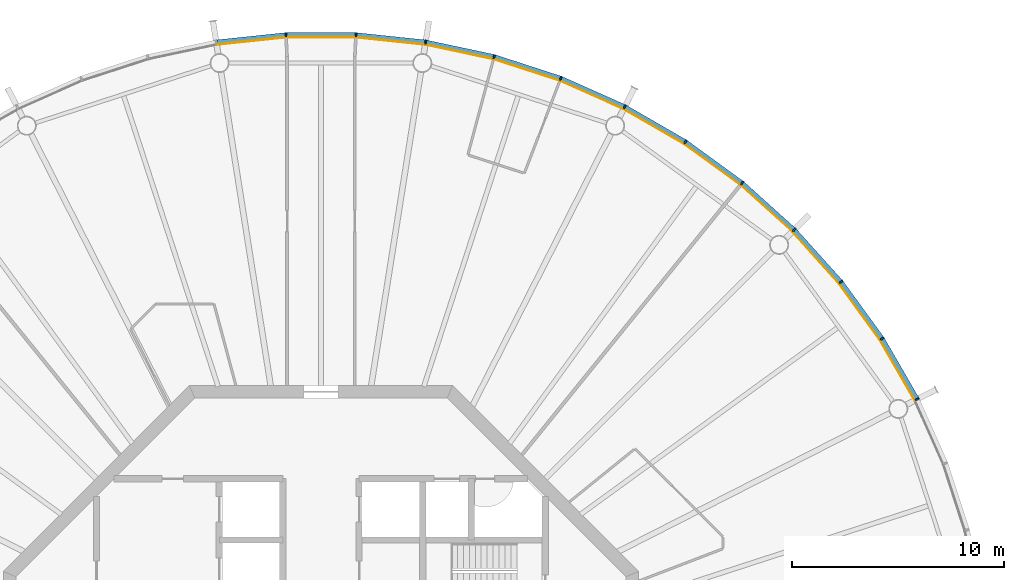
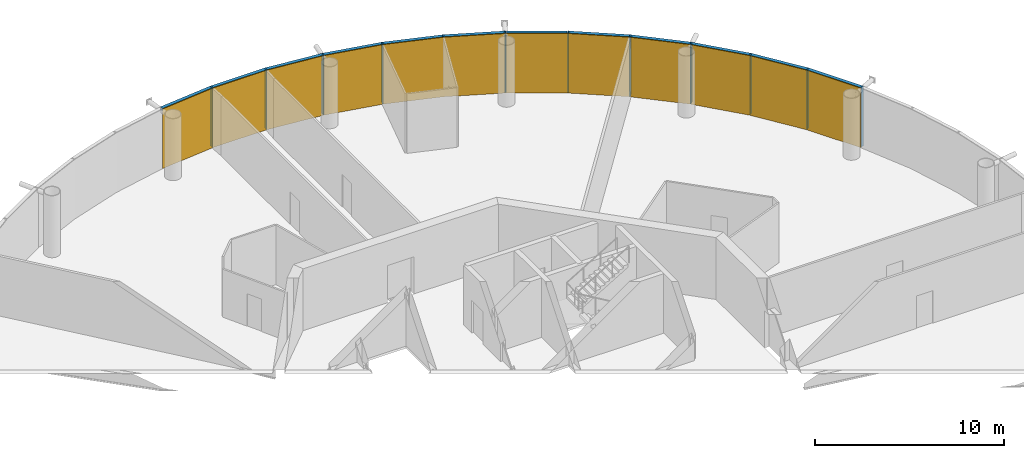
# One storey, part 17 of 18: 24 members, 4 curtain walls.
"""IFC4 building model written with IfcOpenShell, lengths in metres."""

from ifc_helpers import new_model, si_unit, direction, frame, origin, origin_2d, place, context, subcontext, project, spatial, polyline, rectangle, outline, extrude, material, layer, layer_set, material_profile, profile_set, type_object, element, aggregate, save


model = new_model("IFC4")

# Units and contexts
model_context = context("Model", 3, precision=1e-05, world=origin(), true_north=direction((0.0, 1.0)))
body_context = subcontext(model_context, "Body", "Model", "MODEL_VIEW")
ifc_project = project(units=[si_unit("LENGTHUNIT", "METRE"), si_unit("AREAUNIT", "SQUARE_METRE"), si_unit("VOLUMEUNIT", "CUBIC_METRE"), si_unit("PLANEANGLEUNIT", "RADIAN"), si_unit("MASSUNIT", "GRAM", prefix="KILO")], contexts=[model_context])

# Member
ifc_material_1 = material(Name="Anodised aluminium", Category="aluminium")
ifc_material_profile_1 = material_profile(ifc_material_1, rectangle(XDim=0.070068359375, YDim=0.205078125, at=origin_2d()), Name="Mullion 70 x 205 mm anodised aluminium")
ifc_profile_set_1 = profile_set([ifc_material_profile_1], Name="Anodised aluminium")
member_type_1 = type_object("IfcMemberType", Name="Mullion 70 x 205 mm anodised aluminium", PredefinedType="MULLION", material=ifc_profile_set_1)
site_placement = place(None, origin())
building_placement = place(site_placement, origin())
storey_placement = place(building_placement, frame((0.0, 0.0, 388.0)))
member_1_placement = place(storey_placement, frame((118.157958984375, 94.34716796875, 0.0), z_axis=(0.0, 0.0, 1.0), x_axis=(-0.45399049974, 0.891006524188, 0.0)))
member_1 = element("IfcMember", 1, at=member_1_placement, type_object=member_type_1, Name="MULLION L90-03", PredefinedType="MULLION", context=body_context, shape_type="SweptSolid", body=[
    extrude(rectangle(XDim=0.070068359375, YDim=0.205078125, at=origin_2d()), origin(), (0.0, 0.0, 1.0), 3.85009765625),
])

member_2_placement = place(storey_placement, frame((116.504150390625, 97.2119140625, 0.0), z_axis=(0.0, 0.0, 1.0), x_axis=(-0.544639035015, 0.838670567945, 0.0)))
member_2 = element("IfcMember", 2, at=member_2_placement, type_object=member_type_1, Name="MULLION L90-04", PredefinedType="MULLION", context=body_context, shape_type="SweptSolid", body=[
    extrude(rectangle(XDim=0.070068359375, YDim=0.205078125, at=origin_2d()), origin(), (0.0, 0.0, 1.0), 3.85009765625),
])

member_3_placement = place(storey_placement, frame((114.559814453125, 99.88818359375, 0.0), z_axis=(0.0, 0.0, 1.0), x_axis=(-0.62932039105, 0.777145961457, 0.0)))
member_3 = element("IfcMember", 3, at=member_3_placement, type_object=member_type_1, Name="MULLION L90-05", PredefinedType="MULLION", context=body_context, shape_type="SweptSolid", body=[
    extrude(rectangle(XDim=0.070068359375, YDim=0.205078125, at=origin_2d()), origin(), (0.0, 0.0, 1.0), 3.85009765625),
])

member_4_placement = place(storey_placement, frame((112.346435546875, 102.346435546875, 0.0), z_axis=(0.0, 0.0, 1.0), x_axis=(-0.707106781187, 0.707106781187, 0.0)))
member_4 = element("IfcMember", 4, at=member_4_placement, type_object=member_type_1, Name="MULLION L90-06", PredefinedType="MULLION", context=body_context, shape_type="SweptSolid", body=[
    extrude(rectangle(XDim=0.070068359375, YDim=0.205078125, at=origin_2d()), origin(), (0.0, 0.0, 1.0), 3.85009765625),
])

member_5_placement = place(storey_placement, frame((109.88818359375, 104.559814453125, 0.0), z_axis=(0.0, 0.0, 1.0), x_axis=(-0.777145961457, 0.62932039105, 0.0)))
member_5 = element("IfcMember", 5, at=member_5_placement, type_object=member_type_1, Name="MULLION L90-07", PredefinedType="MULLION", context=body_context, shape_type="SweptSolid", body=[
    extrude(rectangle(XDim=0.070068359375, YDim=0.205078125, at=origin_2d()), origin(), (0.0, 0.0, 1.0), 3.85009765625),
])

member_6_placement = place(storey_placement, frame((107.2119140625, 106.504150390625, 0.0), z_axis=(0.0, 0.0, 1.0), x_axis=(-0.838670567945, 0.544639035015, 0.0)))
member_6 = element("IfcMember", 6, at=member_6_placement, type_object=member_type_1, Name="MULLION L90-08", PredefinedType="MULLION", context=body_context, shape_type="SweptSolid", body=[
    extrude(rectangle(XDim=0.070068359375, YDim=0.205078125, at=origin_2d()), origin(), (0.0, 0.0, 1.0), 3.85009765625),
])

member_7_placement = place(storey_placement, frame((104.34716796875, 108.157958984375, 0.0), z_axis=(0.0, 0.0, 1.0), x_axis=(-0.891006524188, 0.45399049974, 0.0)))
member_7 = element("IfcMember", 7, at=member_7_placement, type_object=member_type_1, Name="MULLION L90-09", PredefinedType="MULLION", context=body_context, shape_type="SweptSolid", body=[
    extrude(rectangle(XDim=0.070068359375, YDim=0.205078125, at=origin_2d()), origin(), (0.0, 0.0, 1.0), 3.85009765625),
])

member_8_placement = place(storey_placement, frame((101.325439453125, 109.50341796875, 0.0), z_axis=(0.0, 0.0, 1.0), x_axis=(-0.933580426497, 0.358367949545, 0.0)))
member_8 = element("IfcMember", 8, at=member_8_placement, type_object=member_type_1, Name="MULLION L90-10", PredefinedType="MULLION", context=body_context, shape_type="SweptSolid", body=[
    extrude(rectangle(XDim=0.070068359375, YDim=0.205078125, at=origin_2d()), origin(), (0.0, 0.0, 1.0), 3.85009765625),
])

member_9_placement = place(storey_placement, frame((98.179443359375, 110.525634765625, 0.0), z_axis=(0.0, 0.0, 1.0), x_axis=(-0.965925826289, 0.258819045103, 0.0)))
member_9 = element("IfcMember", 9, at=member_9_placement, type_object=member_type_1, Name="MULLION L90-11", PredefinedType="MULLION", context=body_context, shape_type="SweptSolid", body=[
    extrude(rectangle(XDim=0.070068359375, YDim=0.205078125, at=origin_2d()), origin(), (0.0, 0.0, 1.0), 3.85009765625),
])

member_10_placement = place(storey_placement, frame((94.943603515625, 111.21337890625, 0.0), z_axis=(0.0, 0.0, 1.0), x_axis=(-0.987688340595, 0.15643446504, 0.0)))
member_10 = element("IfcMember", 10, at=member_10_placement, type_object=member_type_1, Name="MULLION L90-12", PredefinedType="MULLION", context=body_context, shape_type="SweptSolid", body=[
    extrude(rectangle(XDim=0.070068359375, YDim=0.205078125, at=origin_2d()), origin(), (0.0, 0.0, 1.0), 3.85009765625),
])

member_11_placement = place(storey_placement, frame((91.654052734375, 111.55908203125, 0.0), z_axis=(0.0, 0.0, 1.0), x_axis=(-0.998629534755, 0.052335956243, 0.0)))
member_11 = element("IfcMember", 11, at=member_11_placement, type_object=member_type_1, Name="MULLION L90-13", PredefinedType="MULLION", context=body_context, shape_type="SweptSolid", body=[
    extrude(rectangle(XDim=0.070068359375, YDim=0.205078125, at=origin_2d()), origin(), (0.0, 0.0, 1.0), 3.85009765625),
])

member_12_placement = place(storey_placement, frame((88.345947265625, 111.55908203125, 0.0), z_axis=(0.0, 0.0, 1.0), x_axis=(-0.998629534755, -0.052335956243, 0.0)))
member_12 = element("IfcMember", 12, at=member_12_placement, type_object=member_type_1, Name="MULLION L90-14", PredefinedType="MULLION", context=body_context, shape_type="SweptSolid", body=[
    extrude(rectangle(XDim=0.070068359375, YDim=0.205078125, at=origin_2d()), origin(), (0.0, 0.0, 1.0), 3.85009765625),
])

ifc_material_2 = material(Name="Anodised aluminium", Category="aluminium")
ifc_material_profile_2 = material_profile(ifc_material_2, rectangle(XDim=0.205078125, YDim=0.195068359375, at=origin_2d()), Name="Transom 195 x 205 mm anodised aluminium")
ifc_profile_set_2 = profile_set([ifc_material_profile_2], Name="Anodised aluminium")
member_type_2 = type_object("IfcMemberType", Name="Transom 195 x 205 mm anodised aluminium", PredefinedType="USERDEFINED", material=ifc_profile_set_2)
member_13_placement = place(storey_placement, frame((118.137939453125, 94.38232421875, 3.75244140625), z_axis=(-0.500004055213, 0.866023062494, 0.0), x_axis=(-0.866023062494, -0.500004055213, 0.0)))
member_13 = element("IfcMember", 13, at=member_13_placement, type_object=member_type_2, Name="TRANSOM L90-03", ObjectType="TRANSOM", PredefinedType="USERDEFINED", context=body_context, shape_type="SweptSolid", body=[
    extrude(rectangle(XDim=0.205078125, YDim=0.195068359375, at=origin_2d()), origin(), (0.0, 0.0, 1.0), 3.22705078125),
])

member_14_placement = place(storey_placement, frame((116.48046875, 97.24462890625, 3.75244140625), z_axis=(-0.587802790201, 0.809004252048, 0.0), x_axis=(-0.809004252048, -0.587802790201, 0.0)))
member_14 = element("IfcMember", 14, at=member_14_placement, type_object=member_type_2, Name="TRANSOM L90-04", ObjectType="TRANSOM", PredefinedType="USERDEFINED", context=body_context, shape_type="SweptSolid", body=[
    extrude(rectangle(XDim=0.205078125, YDim=0.195068359375, at=origin_2d()), origin(), (0.0, 0.0, 1.0), 3.227294921875),
])

member_15_placement = place(storey_placement, frame((114.532958984375, 99.918212890625, 3.75244140625), z_axis=(-0.669144438484, 0.743132370743, 0.0), x_axis=(-0.743132370743, -0.669144438484, 0.0)))
member_15 = element("IfcMember", 15, at=member_15_placement, type_object=member_type_2, Name="TRANSOM L90-05", ObjectType="TRANSOM", PredefinedType="USERDEFINED", context=body_context, shape_type="SweptSolid", body=[
    extrude(rectangle(XDim=0.205078125, YDim=0.195068359375, at=origin_2d()), origin(), (0.0, 0.0, 1.0), 3.22705078125),
])

member_16_placement = place(storey_placement, frame((112.31640625, 102.37353515625, 3.75244140625), z_axis=(-0.743132370743, 0.669144438484, 0.0), x_axis=(-0.669144438484, -0.743132370743, 0.0)))
member_16 = element("IfcMember", 16, at=member_16_placement, type_object=member_type_2, Name="TRANSOM L90-06", ObjectType="TRANSOM", PredefinedType="USERDEFINED", context=body_context, shape_type="SweptSolid", body=[
    extrude(rectangle(XDim=0.205078125, YDim=0.195068359375, at=origin_2d()), origin(), (0.0, 0.0, 1.0), 3.22705078125),
])

member_17_placement = place(storey_placement, frame((109.85546875, 104.58349609375, 3.75244140625), z_axis=(-0.809004252048, 0.587802790201, 0.0), x_axis=(-0.587802790201, -0.809004252048, 0.0)))
member_17 = element("IfcMember", 17, at=member_17_placement, type_object=member_type_2, Name="TRANSOM L90-07", ObjectType="TRANSOM", PredefinedType="USERDEFINED", context=body_context, shape_type="SweptSolid", body=[
    extrude(rectangle(XDim=0.205078125, YDim=0.195068359375, at=origin_2d()), origin(), (0.0, 0.0, 1.0), 3.227294921875),
])

member_18_placement = place(storey_placement, frame((107.177001953125, 106.5244140625, 3.75244140625), z_axis=(-0.866023062494, 0.500004055213, 0.0), x_axis=(-0.500004055213, -0.866023062494, 0.0)))
member_18 = element("IfcMember", 18, at=member_18_placement, type_object=member_type_2, Name="TRANSOM L90-08", ObjectType="TRANSOM", PredefinedType="USERDEFINED", context=body_context, shape_type="SweptSolid", body=[
    extrude(rectangle(XDim=0.205078125, YDim=0.195068359375, at=origin_2d()), origin(), (0.0, 0.0, 1.0), 3.22705078125),
])

member_19_placement = place(storey_placement, frame((104.310302734375, 108.174560546875, 3.75244140625), z_axis=(-0.913521178731, 0.406791170024, 0.0), x_axis=(-0.406791170024, -0.913521178731, 0.0)))
member_19 = element("IfcMember", 19, at=member_19_placement, type_object=member_type_2, Name="TRANSOM L90-09", ObjectType="TRANSOM", PredefinedType="USERDEFINED", context=body_context, shape_type="SweptSolid", body=[
    extrude(rectangle(XDim=0.205078125, YDim=0.195068359375, at=origin_2d()), origin(), (0.0, 0.0, 1.0), 3.22705078125),
])

member_20_placement = place(storey_placement, frame((101.286865234375, 109.51611328125, 3.75244140625), z_axis=(-0.951046855117, 0.309046726844, 0.0), x_axis=(-0.309046726844, -0.951046855117, 0.0)))
member_20 = element("IfcMember", 20, at=member_20_placement, type_object=member_type_2, Name="TRANSOM L90-10", ObjectType="TRANSOM", PredefinedType="USERDEFINED", context=body_context, shape_type="SweptSolid", body=[
    extrude(rectangle(XDim=0.205078125, YDim=0.195068359375, at=origin_2d()), origin(), (0.0, 0.0, 1.0), 3.22705078125),
])

member_21_placement = place(storey_placement, frame((98.139892578125, 110.5341796875, 3.75244140625), z_axis=(-0.978153082647, 0.207885898771, 0.0), x_axis=(-0.207885898771, -0.978153082647, 0.0)))
member_21 = element("IfcMember", 21, at=member_21_placement, type_object=member_type_2, Name="TRANSOM L90-11", ObjectType="TRANSOM", PredefinedType="USERDEFINED", context=body_context, shape_type="SweptSolid", body=[
    extrude(rectangle(XDim=0.205078125, YDim=0.195068359375, at=origin_2d()), origin(), (0.0, 0.0, 1.0), 3.227294921875),
])

member_22_placement = place(storey_placement, frame((94.903564453125, 111.2177734375, 3.75244140625), z_axis=(-0.994519537956, 0.104550890115, 0.0), x_axis=(-0.104550890115, -0.994519537956, 0.0)))
member_22 = element("IfcMember", 22, at=member_22_placement, type_object=member_type_2, Name="TRANSOM L90-12", ObjectType="TRANSOM", PredefinedType="USERDEFINED", context=body_context, shape_type="SweptSolid", body=[
    extrude(rectangle(XDim=0.205078125, YDim=0.195068359375, at=origin_2d()), origin(), (0.0, 0.0, 1.0), 3.22705078125),
])

member_23_placement = place(storey_placement, frame((91.613525390625, 111.559326171875, 3.75244140625), z_axis=(-1.0, 0.0, 0.0), x_axis=(0.0, -1.0, 0.0)))
member_23 = element("IfcMember", 23, at=member_23_placement, type_object=member_type_2, Name="TRANSOM L90-13", ObjectType="TRANSOM", PredefinedType="USERDEFINED", context=body_context, shape_type="SweptSolid", body=[
    extrude(rectangle(XDim=0.205078125, YDim=0.195068359375, at=origin_2d()), origin(), (0.0, 0.0, 1.0), 3.22705078125),
])

member_24_placement = place(storey_placement, frame((88.305908203125, 111.55517578125, 3.75244140625), z_axis=(-0.994519537956, -0.104550890115, 0.0), x_axis=(0.104550890115, -0.994519537956, 0.0)))
member_24 = element("IfcMember", 24, at=member_24_placement, type_object=member_type_2, Name="TRANSOM L90-14", ObjectType="TRANSOM", PredefinedType="USERDEFINED", context=body_context, shape_type="SweptSolid", body=[
    extrude(rectangle(XDim=0.205078125, YDim=0.195068359375, at=origin_2d()), origin(), (0.0, 0.0, 1.0), 3.22705078125),
])

# Site, building, storey
site = spatial("IfcSite", under=ifc_project, at=site_placement, CompositionType="ELEMENT")
building = spatial("IfcBuilding", under=site, at=building_placement, Name="Entoto Ring Tower", CompositionType="ELEMENT")
storey = spatial("IfcBuildingStorey", under=building, at=storey_placement, Name="L90", CompositionType="ELEMENT", Elevation=388.0)

# Curtain wall
ifc_material_3 = material(Name="Clear low-iron glass", Category="glass")
ifc_layer = layer(ifc_material_3, 0.035888671875)
ifc_layer_set = layer_set([ifc_layer], Name="Clear low-iron glass")
curtain_wall_type = type_object("IfcCurtainWallType", Name="Curtain wall system CW6 glazing 36 mm", PredefinedType="NOTDEFINED", material=ifc_layer_set)
curtain_wall_1_placement = place(storey_placement, origin())
curtain_wall_1 = element("IfcCurtainWall", 25, at=curtain_wall_1_placement, inside=storey, type_object=curtain_wall_type, Name="CW6 L90-02", PredefinedType="NOTDEFINED", context=body_context, shape_type="SweptSolid", body=[
    extrude(outline(polyline([(118.066650390625, 94.30078125), (116.418212890625, 97.15625), (114.47998046875, 99.823486328125), (112.27392578125, 102.27392578125), (112.248291015625, 102.248291015625), (114.4521484375, 99.801025390625), (116.387939453125, 97.136474609375), (118.03466796875, 94.284423828125), (118.066650390625, 94.30078125)])), origin(), (0.0, 0.0, 1.0), 3.85009765625),
])

aggregate(curtain_wall_1, [member_1, member_2, member_3, member_13, member_14, member_15])

curtain_wall_2_placement = place(storey_placement, origin())
curtain_wall_2 = element("IfcCurtainWall", 26, at=curtain_wall_2_placement, inside=storey, type_object=curtain_wall_type, Name="CW6 L90-03", PredefinedType="NOTDEFINED", context=body_context, shape_type="SweptSolid", body=[
    extrude(outline(polyline([(112.27392578125, 102.27392578125), (109.823486328125, 104.47998046875), (107.15625, 106.418212890625), (104.30078125, 108.066650390625), (104.284423828125, 108.03466796875), (107.136474609375, 106.387939453125), (109.801025390625, 104.4521484375), (112.248291015625, 102.248291015625), (112.27392578125, 102.27392578125)])), origin(), (0.0, 0.0, 1.0), 3.85009765625),
])

aggregate(curtain_wall_2, [member_4, member_5, member_6, member_16, member_17, member_18])

curtain_wall_3_placement = place(storey_placement, origin())
curtain_wall_3 = element("IfcCurtainWall", 27, at=curtain_wall_3_placement, inside=storey, type_object=curtain_wall_type, Name="CW6 L90-04", PredefinedType="NOTDEFINED", context=body_context, shape_type="SweptSolid", body=[
    extrude(outline(polyline([(104.30078125, 108.066650390625), (101.28857421875, 109.40771484375), (98.15283203125, 110.4267578125), (94.927734375, 111.1123046875), (94.922119140625, 111.07666015625), (98.1435546875, 110.391845703125), (101.275634765625, 109.3740234375), (104.284423828125, 108.03466796875), (104.30078125, 108.066650390625)])), origin(), (0.0, 0.0, 1.0), 3.85009765625),
])

aggregate(curtain_wall_3, [member_7, member_8, member_9, member_19, member_20, member_21])

curtain_wall_4_placement = place(storey_placement, origin())
curtain_wall_4 = element("IfcCurtainWall", 28, at=curtain_wall_4_placement, inside=storey, type_object=curtain_wall_type, Name="CW6 L90-05", PredefinedType="NOTDEFINED", context=body_context, shape_type="SweptSolid", body=[
    extrude(outline(polyline([(94.927734375, 111.1123046875), (91.648681640625, 111.456787109375), (88.351318359375, 111.456787109375), (85.072265625, 111.1123046875), (85.077880859375, 111.07666015625), (88.353271484375, 111.4208984375), (91.646728515625, 111.4208984375), (94.922119140625, 111.07666015625), (94.927734375, 111.1123046875)])), origin(), (0.0, 0.0, 1.0), 3.85009765625),
])

aggregate(curtain_wall_4, [member_10, member_11, member_12, member_22, member_23, member_24])

save(model, "model.ifc")
